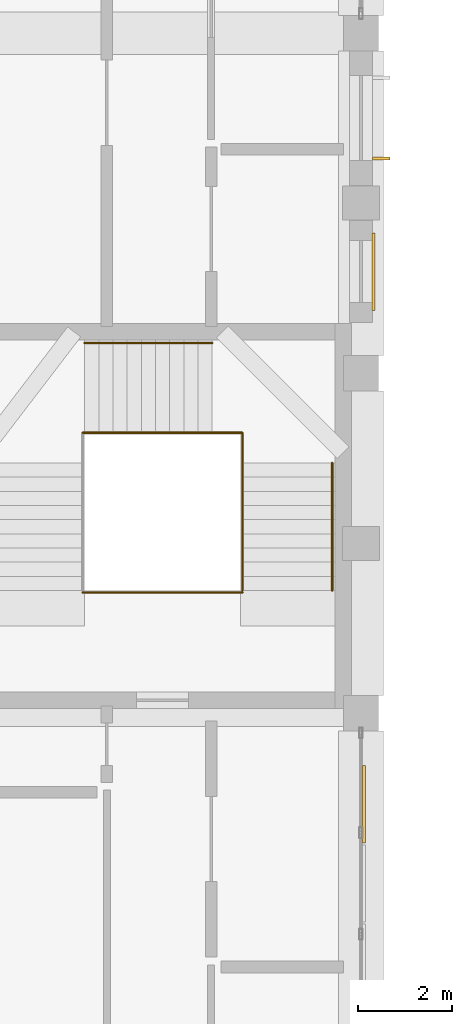
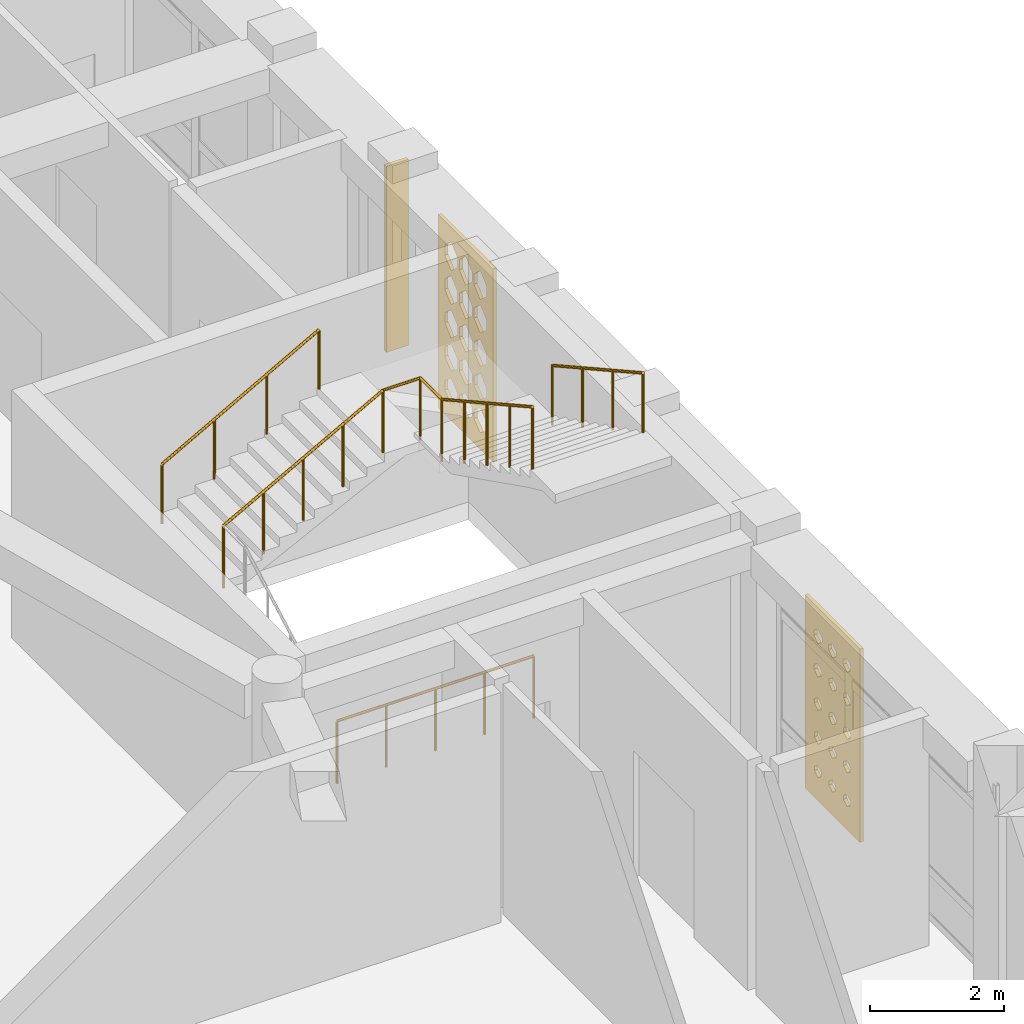
# One storey, part 93 of 111: 5 railings, 2 coverings, 1 shading device.
"""IFC4 building model written with IfcOpenShell, lengths in metres."""

from ifc_helpers import new_model, si_unit, derived_unit, direction, frame, origin, origin_2d, place, context, subcontext, project, spatial, polyline, rectangle, circle, outline, extrude, material, layer, layer_set, type_object, element, save


model = new_model("IFC4")

# Units and contexts
model_context = context("Model", 3, precision=1e-05, world=origin(), true_north=direction((0.0, 1.0)))
body_context = subcontext(model_context, "Body", "Model", "MODEL_VIEW")
ifc_project = project(units=[si_unit("LENGTHUNIT", "METRE"), si_unit("AREAUNIT", "SQUARE_METRE"), si_unit("VOLUMEUNIT", "CUBIC_METRE"), si_unit("PLANEANGLEUNIT", "RADIAN"), si_unit("MASSUNIT", "GRAM", prefix="KILO"), derived_unit("THERMALTRANSMITTANCEUNIT", [(si_unit("POWERUNIT", "WATT"), 1), (si_unit("LENGTHUNIT", "METRE"), -2), (si_unit("THERMODYNAMICTEMPERATUREUNIT", "KELVIN"), -1)])], contexts=[model_context])

# Site, building, storey
site_placement = place(None, origin())
site = spatial("IfcSite", under=ifc_project, at=site_placement, CompositionType="ELEMENT")
building_placement = place(site_placement, origin())
building = spatial("IfcBuilding", under=site, at=building_placement, Name="Veybourne Emporium", CompositionType="ELEMENT")
storey_placement = place(building_placement, frame((0.0, 0.0, 9.89990234375)))
storey = spatial("IfcBuildingStorey", under=building, at=storey_placement, Name="L02", CompositionType="ELEMENT", Elevation=9.89990234375)

# Railings
ifc_material_1 = material(Name="Brushed Stainless Steel", Category="steel")
railing_type_1 = type_object("IfcRailingType", Name="Guard_GR-01", PredefinedType="GUARDRAIL", material=ifc_material_1)
railing_1_placement = place(storey_placement, frame((94.909912109375, 56.340087890625, 1.5)))
element("IfcRailing", 1, at=railing_1_placement, inside=storey, type_object=railing_type_1, Name="L02 ST-07 stair guard 2", PredefinedType="GUARDRAIL", context=body_context, shape_type="SweptSolid", body=[
    extrude(circle(Radius=0.02392578125, at=origin_2d()), frame((0.0, 0.0, 1.1259765625), z_axis=(0.87715976088, 0.0, 0.480198660861), x_axis=(0.0, 1.0, 0.0)), (0.0, 0.0, 1.0), 3.123779296875),
    extrude(circle(Radius=0.02392578125, at=origin_2d()), frame((2.739990234375, 0.0, 2.6259765625), z_axis=(1.0, 0.0, 0.0), x_axis=(0.0, 1.0, 0.0)), (0.0, 0.0, 1.0), 0.64013671875),
    extrude(circle(Radius=0.02099609375, at=origin_2d()), origin(), (0.0, 0.0, 1.0), 1.101806640625),
    extrude(circle(Radius=0.02099609375, at=origin_2d()), frame((0.68505859375, 0.0, 0.375)), (0.0, 0.0, 1.0), 1.101806640625),
    extrude(circle(Radius=0.02099609375, at=origin_2d()), frame((1.3701171875, 0.0, 0.75)), (0.0, 0.0, 1.0), 1.101806640625),
    extrude(circle(Radius=0.02099609375, at=origin_2d()), frame((2.054931640625, 0.0, 1.125)), (0.0, 0.0, 1.0), 1.101806640625),
    extrude(circle(Radius=0.02099609375, at=origin_2d()), frame((2.739990234375, 0.0, 1.5)), (0.0, 0.0, 1.0), 1.101806640625),
    extrude(circle(Radius=0.02099609375, at=origin_2d()), frame((3.380126953125, 0.0, 1.5)), (0.0, 0.0, 1.0), 1.101806640625),
])
railing_2_placement = place(storey_placement, frame((98.2900390625, 56.340087890625, 3.0)))
element("IfcRailing", 2, at=railing_2_placement, inside=storey, type_object=railing_type_1, Name="L02 ST-07 stair guard 3", PredefinedType="GUARDRAIL", context=body_context, shape_type="SweptSolid", body=[
    extrude(circle(Radius=0.02392578125, at=origin_2d()), frame((0.0, 0.0, 1.1259765625), z_axis=(0.0, -1.0, 0.0), x_axis=(1.0, 0.0, 0.0)), (0.0, 0.0, 1.0), 0.64013671875),
    extrude(circle(Radius=0.02392578125, at=origin_2d()), frame((0.0, -0.64013671875, 1.1259765625), z_axis=(0.0, -0.87415354758, 0.485649642493), x_axis=(1.0, 0.0, 0.0)), (0.0, 0.0, 1.0), 3.088623046875),
    extrude(circle(Radius=0.02099609375, at=origin_2d()), origin(), (0.0, 0.0, 1.0), 1.101806640625),
    extrude(circle(Radius=0.02099609375, at=origin_2d()), frame((0.0, -0.64013671875, 0.0)), (0.0, 0.0, 1.0), 1.101806640625),
    extrude(circle(Radius=0.02099609375, at=origin_2d()), frame((0.0, -1.315185546875, 0.375)), (0.0, 0.0, 1.0), 1.101806640625),
    extrude(circle(Radius=0.02099609375, at=origin_2d()), frame((0.0, -1.990234375, 0.75)), (0.0, 0.0, 1.0), 1.101806640625),
    extrude(circle(Radius=0.02099609375, at=origin_2d()), frame((0.0, -2.6650390625, 1.125)), (0.0, 0.0, 1.0), 1.101806640625),
    extrude(circle(Radius=0.02099609375, at=origin_2d()), frame((0.0, -3.340087890625, 1.5)), (0.0, 0.0, 1.0), 1.101806640625),
])
railing_3_placement = place(storey_placement, frame((94.909912109375, 52.9599609375, 0.0)))
element("IfcRailing", 3, at=railing_3_placement, inside=storey, type_object=railing_type_1, Name="L02 ST-07 stair guard 4", PredefinedType="GUARDRAIL", context=body_context, shape_type="SweptSolid", body=[
    extrude(circle(Radius=0.02392578125, at=origin_2d()), frame((0.0, 0.0, 1.1259765625), z_axis=(1.0, 0.0, 0.0), x_axis=(0.0, 1.0, 0.0)), (0.0, 0.0, 1.0), 3.380126953125),
    extrude(circle(Radius=0.02099609375, at=origin_2d()), origin(), (0.0, 0.0, 1.0), 1.101806640625),
    extrude(circle(Radius=0.02099609375, at=origin_2d()), frame((0.844970703125, 0.0, 0.0)), (0.0, 0.0, 1.0), 1.101806640625),
    extrude(circle(Radius=0.02099609375, at=origin_2d()), frame((1.68994140625, 0.0, 0.0)), (0.0, 0.0, 1.0), 1.101806640625),
    extrude(circle(Radius=0.02099609375, at=origin_2d()), frame((2.53515625, 0.0, 0.0)), (0.0, 0.0, 1.0), 1.101806640625),
    extrude(circle(Radius=0.02099609375, at=origin_2d()), frame((3.380126953125, 0.0, 0.0)), (0.0, 0.0, 1.0), 1.101806640625),
])
railing_type_2 = type_object("IfcRailingType", Name="Handrail_HR-01", PredefinedType="HANDRAIL", material=ifc_material_1)
railing_4_placement = place(storey_placement, frame((94.949951171875, 58.239990234375, 1.650146484375)))
element("IfcRailing", 4, at=railing_4_placement, inside=storey, type_object=railing_type_2, Name="L02 ST-07 pitch handrail 2", PredefinedType="HANDRAIL", context=body_context, shape_type="SweptSolid", body=[
    extrude(circle(Radius=0.02392578125, at=origin_2d()), frame((0.0, 0.0, 0.92578125), z_axis=(0.87415354758, 0.0, 0.485649642493), x_axis=(0.0, 1.0, 0.0)), (0.0, 0.0, 1.0), 3.088623046875),
    extrude(circle(Radius=0.02099609375, at=origin_2d()), frame((0.0, 0.0, -0.14990234375)), (0.0, 0.0, 1.0), 1.0517578125),
    extrude(circle(Radius=0.02099609375, at=origin_2d()), frame((0.89990234375, 0.0, 0.35009765625)), (0.0, 0.0, 1.0), 1.0517578125),
    extrude(circle(Radius=0.02099609375, at=origin_2d()), frame((1.800048828125, 0.0, 0.85009765625)), (0.0, 0.0, 1.0), 1.0517578125),
    extrude(circle(Radius=0.02099609375, at=origin_2d()), frame((2.699951171875, 0.0, 1.35009765625)), (0.0, 0.0, 1.0), 1.0517578125),
])
railing_5_placement = place(storey_placement, frame((100.18994140625, 55.699951171875, 3.150146484375)))
element("IfcRailing", 5, at=railing_5_placement, inside=storey, type_object=railing_type_2, Name="L02 ST-07 pitch handrail 3", PredefinedType="HANDRAIL", context=body_context, shape_type="SweptSolid", body=[
    extrude(circle(Radius=0.02392578125, at=origin_2d()), frame((0.0, 0.0, 0.92578125), z_axis=(0.0, -0.87415354758, 0.485649642493), x_axis=(1.0, 0.0, 0.0)), (0.0, 0.0, 1.0), 3.088623046875),
    extrude(circle(Radius=0.02099609375, at=origin_2d()), frame((0.0, 0.0, -0.14990234375)), (0.0, 0.0, 1.0), 1.0517578125),
    extrude(circle(Radius=0.02099609375, at=origin_2d()), frame((0.0, -0.89990234375, 0.35009765625)), (0.0, 0.0, 1.0), 1.0517578125),
    extrude(circle(Radius=0.02099609375, at=origin_2d()), frame((0.0, -1.800048828125, 0.85009765625)), (0.0, 0.0, 1.0), 1.0517578125),
    extrude(circle(Radius=0.02099609375, at=origin_2d()), frame((0.0, -2.699951171875, 1.35009765625)), (0.0, 0.0, 1.0), 1.0517578125),
])

# Shading device
ifc_material_2 = material(Name="Patinated Architectural Bronze", Category="bronze")
shading_device_type = type_object("IfcShadingDeviceType", Name="SolarFin_FIN-01", PredefinedType="USERDEFINED", material=ifc_material_2)
shading_device_placement = place(storey_placement, frame((101.22900390625, 62.14111328125, 0.125244140625), z_axis=(0.0, 0.0, 1.0), x_axis=(0.0, -1.0, 0.0)))
element("IfcShadingDevice", 6, at=shading_device_placement, inside=storey, type_object=shading_device_type, Name="L02 bronze brise-soleil fin FIN-01 (53A.2)", ObjectType="FIN", PredefinedType="USERDEFINED", context=body_context, shape_type="SweptSolid", body=[
    extrude(rectangle(XDim=0.06494140625, YDim=0.3798828125, at=origin_2d()), origin(), (0.0, 0.0, 1.0), 3.3798828125),
])

# Coverings
ifc_material_3 = material(Name="Warm-White Perforated Aluminium Screen Alloy", Category="aluminium")
ifc_layer_1 = layer(ifc_material_3, 0.06005859375)
ifc_layer_set_1 = layer_set([ifc_layer_1], Name="Warm-White Perforated Aluminium Screen Alloy")
covering_type_1 = type_object("IfcCoveringType", Name="WaveScreen_SCR-01", PredefinedType="CLADDING", material=ifc_layer_set_1)
covering_1_placement = place(storey_placement, frame((101.09814453125, 59.75, 1.815185546875), z_axis=(-1.0, 0.0, 0.0), x_axis=(0.0, -1.0, 0.0)))
element("IfcCovering", 7, at=covering_1_placement, inside=storey, type_object=covering_type_1, Name="L02 wave-perforated aluminium screen SCR-01 (53B.1)", PredefinedType="CLADDING", context=body_context, shape_type="SweptSolid", body=[
    extrude(outline(polyline([(-0.81982421875, -1.7548828125), (0.81982421875, -1.7548828125), (0.81982421875, 1.7548828125), (-0.81982421875, 1.7548828125), (-0.81982421875, -1.7548828125)]), holes=[polyline([(-0.433349609375, -0.99267578125), (-0.2470703125, -1.143310546875), (-0.2470703125, -1.312744140625), (-0.433349609375, -1.46337890625), (-0.61962890625, -1.312744140625), (-0.61962890625, -1.143310546875), (-0.433349609375, -0.99267578125)]), polyline([(-0.433349609375, -0.3671875), (-0.2470703125, -0.525146484375), (-0.2470703125, -0.702880859375), (-0.433349609375, -0.860595703125), (-0.61962890625, -0.702880859375), (-0.61962890625, -0.525146484375), (-0.433349609375, -0.3671875)]), polyline([(-0.433349609375, 0.256591796875), (-0.2470703125, 0.09228515625), (-0.2470703125, -0.09228515625), (-0.433349609375, -0.256591796875), (-0.61962890625, -0.09228515625), (-0.61962890625, 0.09228515625), (-0.433349609375, 0.256591796875)]), polyline([(-0.433349609375, 0.8779296875), (-0.2470703125, 0.708984375), (-0.2470703125, 0.51904296875), (-0.433349609375, 0.35009765625), (-0.61962890625, 0.51904296875), (-0.61962890625, 0.708984375), (-0.433349609375, 0.8779296875)]), polyline([(-0.433349609375, 1.491943359375), (-0.2470703125, 1.322998046875), (-0.2470703125, 1.133056640625), (-0.433349609375, 0.964111328125), (-0.61962890625, 1.133056640625), (-0.61962890625, 1.322998046875), (-0.433349609375, 1.491943359375)]), polyline([(0.0, -0.998291015625), (0.186279296875, -1.145263671875), (0.186279296875, -1.310791015625), (0.0, -1.457763671875), (-0.186279296875, -1.310791015625), (-0.186279296875, -1.145263671875), (0.0, -0.998291015625)]), polyline([(0.0, -0.372314453125), (0.186279296875, -0.527099609375), (0.186279296875, -0.700927734375), (0.0, -0.855712890625), (-0.186279296875, -0.700927734375), (-0.186279296875, -0.527099609375), (0.0, -0.372314453125)]), polyline([(0.0, 0.252197265625), (0.186279296875, 0.0908203125), (0.186279296875, -0.0908203125), (0.0, -0.252197265625), (-0.186279296875, -0.0908203125), (-0.186279296875, 0.0908203125), (0.0, 0.252197265625)]), polyline([(0.0, 0.875244140625), (0.186279296875, 0.7080078125), (0.186279296875, 0.52001953125), (0.0, 0.352783203125), (-0.186279296875, 0.52001953125), (-0.186279296875, 0.7080078125), (0.0, 0.875244140625)]), polyline([(0.0, 1.491943359375), (0.186279296875, 1.322998046875), (0.186279296875, 1.133056640625), (0.0, 0.964111328125), (-0.186279296875, 1.133056640625), (-0.186279296875, 1.322998046875), (0.0, 1.491943359375)]), polyline([(0.433349609375, -1.004150390625), (0.61962890625, -1.1474609375), (0.61962890625, -1.30859375), (0.433349609375, -1.451904296875), (0.2470703125, -1.30859375), (0.2470703125, -1.1474609375), (0.433349609375, -1.004150390625)]), polyline([(0.433349609375, -0.377685546875), (0.61962890625, -0.52880859375), (0.61962890625, -0.69921875), (0.433349609375, -0.850341796875), (0.2470703125, -0.69921875), (0.2470703125, -0.52880859375), (0.433349609375, -0.377685546875)]), polyline([(0.433349609375, 0.247802734375), (0.61962890625, 0.089111328125), (0.61962890625, -0.089111328125), (0.433349609375, -0.247802734375), (0.2470703125, -0.089111328125), (0.2470703125, 0.089111328125), (0.433349609375, 0.247802734375)]), polyline([(0.433349609375, 0.871337890625), (0.61962890625, 0.706787109375), (0.61962890625, 0.521240234375), (0.433349609375, 0.356689453125), (0.2470703125, 0.521240234375), (0.2470703125, 0.706787109375), (0.433349609375, 0.871337890625)]), polyline([(0.433349609375, 1.491943359375), (0.61962890625, 1.322998046875), (0.61962890625, 1.133056640625), (0.433349609375, 0.964111328125), (0.2470703125, 1.133056640625), (0.2470703125, 1.322998046875), (0.433349609375, 1.491943359375)])]), origin(), (0.0, 0.0, 1.0), 0.06005859375),
])
ifc_layer_2 = layer(ifc_material_3, 0.06005859375)
ifc_layer_set_2 = layer_set([ifc_layer_2], Name="Warm-White Perforated Aluminium Screen Alloy")
covering_type_2 = type_object("IfcCoveringType", Name="WaveScreen_SCR-03", PredefinedType="CLADDING", material=ifc_layer_set_2)
covering_2_placement = place(storey_placement, frame((100.89404296875, 48.47998046875, 1.815185546875), z_axis=(-1.0, 0.0, 0.0), x_axis=(0.0, -1.0, 0.0)))
element("IfcCovering", 8, at=covering_2_placement, inside=storey, type_object=covering_type_2, Name="L02 wave-perforated aluminium screen SCR-03 (51C.1)", PredefinedType="CLADDING", context=body_context, shape_type="SweptSolid", body=[
    extrude(outline(polyline([(-0.81982421875, -1.7548828125), (0.81982421875, -1.7548828125), (0.81982421875, 1.7548828125), (-0.81982421875, 1.7548828125), (-0.81982421875, -1.7548828125)]), holes=[polyline([(-0.433349609375, -1.117919921875), (-0.333251953125, -1.1884765625), (-0.333251953125, -1.267578125), (-0.433349609375, -1.338134765625), (-0.533447265625, -1.267578125), (-0.533447265625, -1.1884765625), (-0.433349609375, -1.117919921875)]), polyline([(-0.433349609375, -0.501953125), (-0.331787109375, -0.57373046875), (-0.331787109375, -0.654296875), (-0.433349609375, -0.72607421875), (-0.534912109375, -0.654296875), (-0.534912109375, -0.57373046875), (-0.433349609375, -0.501953125)]), polyline([(-0.433349609375, 0.116455078125), (-0.328125, 0.0419921875), (-0.328125, -0.0419921875), (-0.433349609375, -0.116455078125), (-0.53857421875, -0.0419921875), (-0.53857421875, 0.0419921875), (-0.433349609375, 0.116455078125)]), polyline([(-0.433349609375, 0.73681640625), (-0.32275390625, 0.658203125), (-0.32275390625, 0.56982421875), (-0.433349609375, 0.4912109375), (-0.5439453125, 0.56982421875), (-0.5439453125, 0.658203125), (-0.433349609375, 0.73681640625)]), polyline([(-0.433349609375, 1.359619140625), (-0.315673828125, 1.275390625), (-0.315673828125, 1.1806640625), (-0.433349609375, 1.096435546875), (-0.55078125, 1.1806640625), (-0.55078125, 1.275390625), (-0.433349609375, 1.359619140625)]), polyline([(0.0, -1.117919921875), (0.10009765625, -1.1884765625), (0.10009765625, -1.267578125), (0.0, -1.337890625), (-0.10009765625, -1.267578125), (-0.10009765625, -1.1884765625), (0.0, -1.117919921875)]), polyline([(0.0, -0.503173828125), (0.1005859375, -0.57421875), (0.1005859375, -0.65380859375), (0.0, -0.724853515625), (-0.1005859375, -0.65380859375), (-0.1005859375, -0.57421875), (0.0, -0.503173828125)]), polyline([(0.0, 0.114013671875), (0.103515625, 0.041015625), (0.103515625, -0.041015625), (0.0, -0.114013671875), (-0.103515625, -0.041015625), (-0.103515625, 0.041015625), (0.0, 0.114013671875)]), polyline([(0.0, 0.733642578125), (0.10791015625, 0.656982421875), (0.10791015625, 0.57080078125), (0.0, 0.494384765625), (-0.10791015625, 0.57080078125), (-0.10791015625, 0.656982421875), (0.0, 0.733642578125)]), polyline([(0.0, 1.35546875), (0.1142578125, 1.27392578125), (0.1142578125, 1.18212890625), (0.0, 1.1005859375), (-0.1142578125, 1.18212890625), (-0.1142578125, 1.27392578125), (0.0, 1.35546875)]), polyline([(0.433349609375, -1.117431640625), (0.53369140625, -1.188232421875), (0.53369140625, -1.267822265625), (0.433349609375, -1.33837890625), (0.3330078125, -1.267822265625), (0.3330078125, -1.188232421875), (0.433349609375, -1.117431640625)]), polyline([(0.433349609375, -0.50390625), (0.533447265625, -0.57421875), (0.533447265625, -0.65380859375), (0.433349609375, -0.72412109375), (0.333251953125, -0.65380859375), (0.333251953125, -0.57421875), (0.433349609375, -0.50390625)]), polyline([(0.433349609375, 0.1123046875), (0.535400390625, 0.040283203125), (0.535400390625, -0.040283203125), (0.433349609375, -0.1123046875), (0.331298828125, -0.040283203125), (0.331298828125, 0.040283203125), (0.433349609375, 0.1123046875)]), polyline([(0.433349609375, 0.73095703125), (0.5390625, 0.656005859375), (0.5390625, 0.572021484375), (0.433349609375, 0.4970703125), (0.32763671875, 0.572021484375), (0.32763671875, 0.656005859375), (0.433349609375, 0.73095703125)]), polyline([(0.433349609375, 1.3515625), (0.54443359375, 1.2724609375), (0.54443359375, 1.18359375), (0.433349609375, 1.1044921875), (0.322265625, 1.18359375), (0.322265625, 1.2724609375), (0.433349609375, 1.3515625)])]), origin(), (0.0, 0.0, 1.0), 0.06005859375),
])

save(model, "model.ifc")
